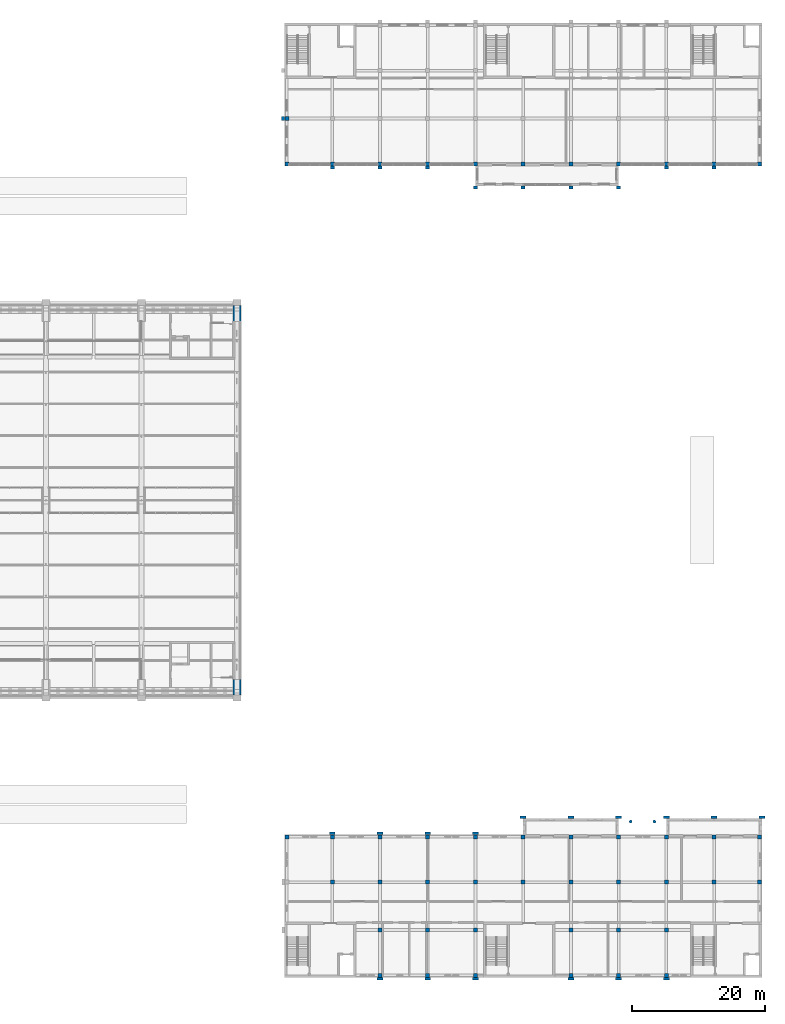
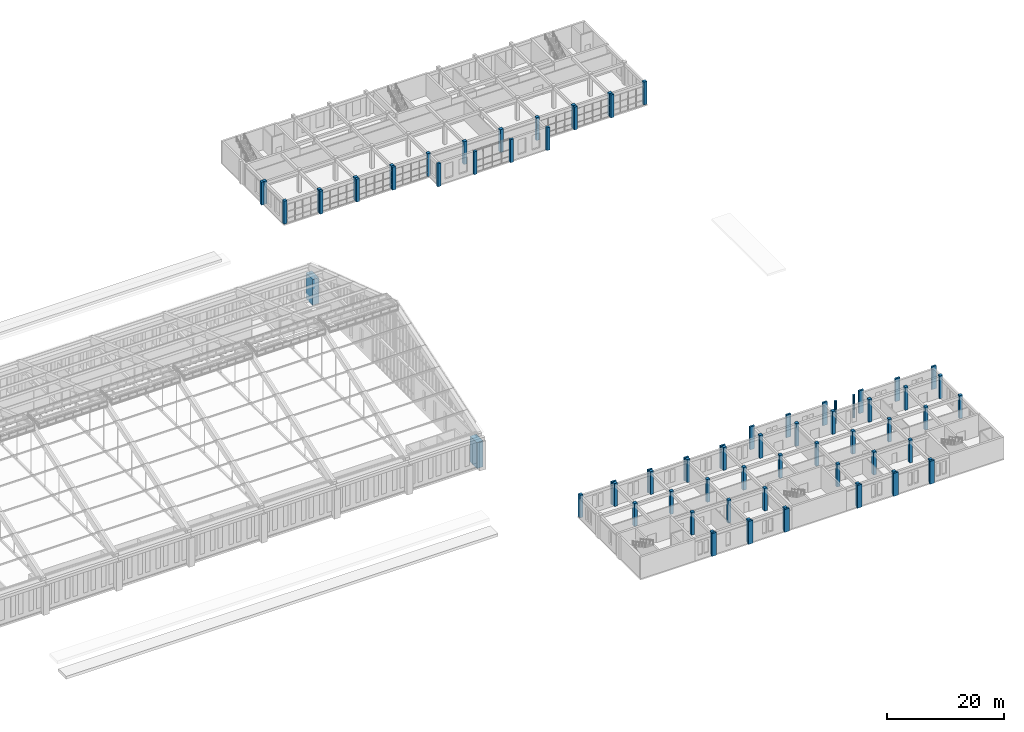
# One storey, part 3 of 149: 75 columns.
"""IFC4 building model written with IfcOpenShell, lengths in metres."""

from ifc_helpers import new_model, si_unit, direction, frame, origin, origin_2d, place, context, subcontext, project, spatial, rectangle, circle, extrude, material, material_profile, profile_set, type_object, element, save


model = new_model("IFC4")

# Units and contexts
model_context = context("Model", 3, precision=1e-05, world=origin(), true_north=direction((0.0, 1.0)))
body_context = subcontext(model_context, "Body", "Model", "MODEL_VIEW")
ifc_project = project(units=[si_unit("LENGTHUNIT", "METRE"), si_unit("AREAUNIT", "SQUARE_METRE"), si_unit("VOLUMEUNIT", "CUBIC_METRE"), si_unit("PLANEANGLEUNIT", "RADIAN"), si_unit("MASSUNIT", "GRAM", prefix="KILO")], contexts=[model_context])

# Site, building, storey
site_placement = place(None, origin())
site = spatial("IfcSite", under=ifc_project, at=site_placement, CompositionType="ELEMENT")
building_placement = place(site_placement, origin())
building = spatial("IfcBuilding", under=site, at=building_placement, Name="Alderwick Market Hall", CompositionType="ELEMENT")
storey_placement = place(building_placement, frame((0.0, 0.0, 9.60009765625)))
storey = spatial("IfcBuildingStorey", under=building, at=storey_placement, Name="L01", CompositionType="ELEMENT", Elevation=9.60009765625)

# Columns
ifc_material = material(Name="Concrete 5000 psi (f'c 35 MPa)", Category="concrete")
ifc_material_profile_1 = material_profile(ifc_material, rectangle(XDim=0.60009765625, YDim=0.60009765625, at=origin_2d()), Name="RC 600x600")
ifc_profile_set_1 = profile_set([ifc_material_profile_1], Name="Concrete 5000 psi (f'c 35 MPa)")
column_type_1 = type_object("IfcColumnType", Name="C Column RC 600x600", PredefinedType="COLUMN", material=ifc_profile_set_1)
for number, where, z_axis, x_axis, name in (
    (1, (158.75, 28.449951171875, 0.0), (0.0, 0.0, 1.0), (1.0, 0.0, 0.0), "C.col.L01.01"),
    (2, (165.60009765625, 28.449951171875, 0.0), (0.0, 0.0, 1.0), (1.0, 0.0, 0.0), "C.col.L01.02"),
    (3, (172.800048828125, 28.449951171875, 0.0), (0.0, 0.0, 1.0), (1.0, 0.0, 0.0), "C.col.L01.03"),
    (4, (180.0, 28.449951171875, 0.0), (0.0, 0.0, 1.0), (1.0, 0.0, 0.0), "C.col.L01.04"),
    (5, (187.199951171875, 28.449951171875, 0.0), (0.0, 0.0, 1.0), (1.0, 0.0, 0.0), "C.col.L01.05"),
    (6, (194.39990234375, 28.449951171875, 0.0), (0.0, 0.0, 1.0), (1.0, 0.0, 0.0), "C.col.L01.06"),
    (7, (201.60009765625, 28.449951171875, 0.0), (0.0, 0.0, 1.0), (1.0, 0.0, 0.0), "C.col.L01.07"),
    (8, (208.800048828125, 28.449951171875, 0.0), (0.0, 0.0, 1.0), (1.0, 0.0, 0.0), "C.col.L01.08"),
    (9, (216.0, 28.449951171875, 0.0), (0.0, 0.0, 1.0), (1.0, 0.0, 0.0), "C.col.L01.09"),
    (10, (223.199951171875, 28.449951171875, 0.0), (0.0, 0.0, 1.0), (1.0, 0.0, 0.0), "C.col.L01.10"),
    (11, (230.050048828125, 28.449951171875, 0.0), (0.0, 0.0, 1.0), (1.0, 0.0, 0.0), "C.col.L01.11"),
    (12, (165.60009765625, 21.60009765625, 0.0), (0.0, 0.0, 1.0), (1.0, 0.0, 0.0), "C.col.L01.13"),
    (13, (172.800048828125, 21.60009765625, 0.0), (0.0, 0.0, 1.0), (1.0, 0.0, 0.0), "C.col.L01.14"),
    (14, (180.0, 21.60009765625, 0.0), (0.0, 0.0, 1.0), (1.0, 0.0, 0.0), "C.col.L01.15"),
    (15, (187.199951171875, 21.60009765625, 0.0), (0.0, 0.0, 1.0), (1.0, 0.0, 0.0), "C.col.L01.16"),
    (16, (194.39990234375, 21.60009765625, 0.0), (0.0, 0.0, 1.0), (1.0, 0.0, 0.0), "C.col.L01.17"),
    (17, (201.60009765625, 21.60009765625, 0.0), (0.0, 0.0, 1.0), (1.0, 0.0, 0.0), "C.col.L01.18"),
    (18, (208.800048828125, 21.60009765625, 0.0), (0.0, 0.0, 1.0), (1.0, 0.0, 0.0), "C.col.L01.19"),
    (19, (216.0, 21.60009765625, 0.0), (0.0, 0.0, 1.0), (1.0, 0.0, 0.0), "C.col.L01.20"),
    (20, (223.199951171875, 21.60009765625, 0.0), (0.0, 0.0, 1.0), (1.0, 0.0, 0.0), "C.col.L01.21"),
    (21, (230.050048828125, 21.60009765625, 0.0), (0.0, 0.0, 1.0), (1.0, 0.0, 0.0), "C.col.L01.22"),
    (22, (172.800048828125, 14.39990234375, 0.0), (0.0, 0.0, 1.0), (1.0, 0.0, 0.0), "C.col.L01.23"),
    (23, (180.0, 14.39990234375, 0.0), (0.0, 0.0, 1.0), (1.0, 0.0, 0.0), "C.col.L01.24"),
    (24, (187.199951171875, 14.39990234375, 0.0), (0.0, 0.0, 1.0), (1.0, 0.0, 0.0), "C.col.L01.25"),
    (25, (201.60009765625, 14.39990234375, 0.0), (0.0, 0.0, 1.0), (1.0, 0.0, 0.0), "C.col.L01.26"),
    (26, (208.800048828125, 14.39990234375, 0.0), (0.0, 0.0, 1.0), (1.0, 0.0, 0.0), "C.col.L01.27"),
    (27, (216.0, 14.39990234375, 0.0), (0.0, 0.0, 1.0), (1.0, 0.0, 0.0), "C.col.L01.28"),
    (28, (172.800048828125, 7.550048828125, 0.0), (0.0, 0.0, 1.0), (1.0, 0.0, 0.0), "C.col.L01.29"),
    (29, (180.0, 7.550048828125, 0.0), (0.0, 0.0, 1.0), (1.0, 0.0, 0.0), "C.col.L01.30"),
    (30, (187.199951171875, 7.550048828125, 0.0), (0.0, 0.0, 1.0), (1.0, 0.0, 0.0), "C.col.L01.31"),
    (31, (201.60009765625, 7.550048828125, 0.0), (0.0, 0.0, 1.0), (1.0, 0.0, 0.0), "C.col.L01.32"),
    (32, (208.800048828125, 7.550048828125, 0.0), (0.0, 0.0, 1.0), (1.0, 0.0, 0.0), "C.col.L01.33"),
    (33, (216.0, 7.550048828125, 0.0), (0.0, 0.0, 1.0), (1.0, 0.0, 0.0), "C.col.L01.34"),
):
    element("IfcColumn", number, at=place(storey_placement, frame(where, z_axis=z_axis, x_axis=x_axis)), inside=storey, type_object=column_type_1, Name=name, PredefinedType="COLUMN", context=body_context, shape_type="SweptSolid", body=[
        extrude(rectangle(XDim=0.60009765625, YDim=0.60009765625, at=origin_2d()), origin(), (0.0, 0.0, 1.0), 4.7998046875),
    ])
ifc_material_profile_2 = material_profile(ifc_material, circle(Radius=0.22509765625, at=origin_2d()), Name="PC D450")
ifc_profile_set_2 = profile_set([ifc_material_profile_2], Name="Concrete 5000 psi (f'c 35 MPa)")
column_type_2 = type_object("IfcColumnType", Name="C Loggia Column Precast Concrete D450", PredefinedType="COLUMN", material=ifc_profile_set_2)
for number, where, z_axis, x_axis, name in (
    (34, (210.60009765625, 30.75, 0.0), (0.0, 0.0, 1.0), (1.0, 0.0, 0.0), "C.loggia.col.L01.01"),
    (35, (214.199951171875, 30.75, 0.0), (0.0, 0.0, 1.0), (1.0, 0.0, 0.0), "C.loggia.col.L01.02"),
):
    element("IfcColumn", number, at=place(storey_placement, frame(where, z_axis=z_axis, x_axis=x_axis)), inside=storey, type_object=column_type_2, Name=name, PredefinedType="COLUMN", context=body_context, shape_type="SweptSolid", body=[
        extrude(circle(Radius=0.22509765625, at=origin_2d()), origin(), (0.0, 0.0, 1.0), 4.7998046875),
    ])
ifc_material_profile_3 = material_profile(ifc_material, rectangle(XDim=0.89990234375, YDim=0.35009765625, at=origin_2d()), Name="PC 900x350")
ifc_profile_set_3 = profile_set([ifc_material_profile_3], Name="Concrete 5000 psi (f'c 35 MPa)")
column_type_3 = type_object("IfcColumnType", Name="C Pilaster Precast Concrete 900x350", PredefinedType="PILASTER", material=ifc_profile_set_3)
for number, where, z_axis, x_axis, name in (
    (36, (165.60009765625, 28.97509765625, 0.0), (0.0, 0.0, 1.0), (1.0, 0.0, 0.0), "C.pilaster.L01.003"),
    (37, (172.800048828125, 28.97509765625, 0.0), (0.0, 0.0, 1.0), (1.0, 0.0, 0.0), "C.pilaster.L01.007"),
    (38, (180.0, 28.97509765625, 0.0), (0.0, 0.0, 1.0), (1.0, 0.0, 0.0), "C.pilaster.L01.011"),
    (39, (187.199951171875, 28.97509765625, 0.0), (0.0, 0.0, 1.0), (1.0, 0.0, 0.0), "C.pilaster.L01.015"),
    (40, (172.800048828125, 7.02490234375, 0.0), (0.0, 0.0, 1.0), (1.0, 0.0, 0.0), "C.pilaster.L01.018"),
    (41, (180.0, 7.02490234375, 0.0), (0.0, 0.0, 1.0), (1.0, 0.0, 0.0), "C.pilaster.L01.021"),
    (42, (187.199951171875, 7.02490234375, 0.0), (0.0, 0.0, 1.0), (1.0, 0.0, 0.0), "C.pilaster.L01.024"),
    (43, (201.60009765625, 7.02490234375, 0.0), (0.0, 0.0, 1.0), (1.0, 0.0, 0.0), "C.pilaster.L01.027"),
    (44, (208.800048828125, 7.02490234375, 0.0), (0.0, 0.0, 1.0), (1.0, 0.0, 0.0), "C.pilaster.L01.030"),
    (45, (216.0, 7.02490234375, 0.0), (0.0, 0.0, 1.0), (1.0, 0.0, 0.0), "C.pilaster.L01.033"),
    (46, (194.39990234375, 31.375, 0.0), (0.0, 0.0, 1.0), (1.0, 0.0, 0.0), "C.pilaster.L01.pav1.01"),
    (47, (201.60009765625, 31.375, 0.0), (0.0, 0.0, 1.0), (1.0, 0.0, 0.0), "C.pilaster.L01.pav1.02"),
    (48, (208.800048828125, 31.375, 0.0), (0.0, 0.0, 1.0), (1.0, 0.0, 0.0), "C.pilaster.L01.pav1.03"),
    (49, (216.0, 31.375, 0.0), (0.0, 0.0, 1.0), (1.0, 0.0, 0.0), "C.pilaster.L01.pav2.01"),
    (50, (223.199951171875, 31.375, 0.0), (0.0, 0.0, 1.0), (1.0, 0.0, 0.0), "C.pilaster.L01.pav2.02"),
    (51, (230.39990234375, 31.375, 0.0), (0.0, 0.0, 1.0), (1.0, 0.0, 0.0), "C.pilaster.L01.pav2.03"),
):
    element("IfcColumn", number, at=place(storey_placement, frame(where, z_axis=z_axis, x_axis=x_axis)), inside=storey, type_object=column_type_3, Name=name, PredefinedType="PILASTER", context=body_context, shape_type="SweptSolid", body=[
        extrude(rectangle(XDim=0.89990234375, YDim=0.35009765625, at=origin_2d()), origin(), (0.0, 0.0, 1.0), 4.7998046875),
    ])
ifc_material_profile_4 = material_profile(ifc_material, rectangle(XDim=0.60009765625, YDim=0.60009765625, at=origin_2d()), Name="RC 600x600")
ifc_profile_set_4 = profile_set([ifc_material_profile_4], Name="Concrete 5000 psi (f'c 35 MPa)")
column_type_4 = type_object("IfcColumnType", Name="F Column RC 600x600", PredefinedType="COLUMN", material=ifc_profile_set_4)
for number, where, z_axis, x_axis, name in (
    (52, (158.75, 129.949951171875, 0.0), (0.0, 0.0, 1.0), (1.0, 0.0, 0.0), "F.col.L01.01"),
    (53, (165.60009765625, 129.949951171875, 0.0), (0.0, 0.0, 1.0), (1.0, 0.0, 0.0), "F.col.L01.02"),
    (54, (172.800048828125, 129.949951171875, 0.0), (0.0, 0.0, 1.0), (1.0, 0.0, 0.0), "F.col.L01.03"),
    (55, (180.0, 129.949951171875, 0.0), (0.0, 0.0, 1.0), (1.0, 0.0, 0.0), "F.col.L01.04"),
    (56, (187.199951171875, 129.949951171875, 0.0), (0.0, 0.0, 1.0), (1.0, 0.0, 0.0), "F.col.L01.05"),
    (57, (194.39990234375, 129.949951171875, 0.0), (0.0, 0.0, 1.0), (1.0, 0.0, 0.0), "F.col.L01.06"),
    (58, (201.60009765625, 129.949951171875, 0.0), (0.0, 0.0, 1.0), (1.0, 0.0, 0.0), "F.col.L01.07"),
    (59, (208.800048828125, 129.949951171875, 0.0), (0.0, 0.0, 1.0), (1.0, 0.0, 0.0), "F.col.L01.08"),
    (60, (216.0, 129.949951171875, 0.0), (0.0, 0.0, 1.0), (1.0, 0.0, 0.0), "F.col.L01.09"),
    (61, (223.199951171875, 129.949951171875, 0.0), (0.0, 0.0, 1.0), (1.0, 0.0, 0.0), "F.col.L01.10"),
    (62, (230.050048828125, 129.949951171875, 0.0), (0.0, 0.0, 1.0), (1.0, 0.0, 0.0), "F.col.L01.11"),
    (63, (158.75, 136.800048828125, 0.0), (0.0, 0.0, 1.0), (1.0, 0.0, 0.0), "F.col.L01.12"),
):
    element("IfcColumn", number, at=place(storey_placement, frame(where, z_axis=z_axis, x_axis=x_axis)), inside=storey, type_object=column_type_4, Name=name, PredefinedType="COLUMN", context=body_context, shape_type="SweptSolid", body=[
        extrude(rectangle(XDim=0.60009765625, YDim=0.60009765625, at=origin_2d()), origin(), (0.0, 0.0, 1.0), 4.7998046875),
    ])
ifc_material_profile_5 = material_profile(ifc_material, rectangle(XDim=0.60009765625, YDim=0.449951171875, at=origin_2d()), Name="PC 600x450")
ifc_profile_set_5 = profile_set([ifc_material_profile_5], Name="Concrete 5000 psi (f'c 35 MPa)")
column_type_5 = type_object("IfcColumnType", Name="F Pilaster Precast Concrete 600x450", PredefinedType="PILASTER", material=ifc_profile_set_5)
for number, where, z_axis, x_axis, name in (
    (64, (165.60009765625, 129.375, 0.0), (0.0, 0.0, 1.0), (1.0, 0.0, 0.0), "F.pilaster.L01.003"),
    (65, (172.800048828125, 129.375, 0.0), (0.0, 0.0, 1.0), (1.0, 0.0, 0.0), "F.pilaster.L01.007"),
    (66, (180.0, 129.375, 0.0), (0.0, 0.0, 1.0), (1.0, 0.0, 0.0), "F.pilaster.L01.011"),
    (67, (216.0, 129.375, 0.0), (0.0, 0.0, 1.0), (1.0, 0.0, 0.0), "F.pilaster.L01.015"),
    (68, (223.199951171875, 129.375, 0.0), (0.0, 0.0, 1.0), (1.0, 0.0, 0.0), "F.pilaster.L01.019"),
    (69, (158.175048828125, 136.800048828125, 0.0), (0.0, 0.0, 1.0), (0.0, 1.0, 0.0), "F.pilaster.L01.040"),
    (70, (187.199951171875, 126.375, 0.0), (0.0, 0.0, 1.0), (1.0, 0.0, 0.0), "F.pilaster.L01.pav1.01"),
    (71, (194.39990234375, 126.375, 0.0), (0.0, 0.0, 1.0), (1.0, 0.0, 0.0), "F.pilaster.L01.pav1.02"),
    (72, (201.60009765625, 126.375, 0.0), (0.0, 0.0, 1.0), (1.0, 0.0, 0.0), "F.pilaster.L01.pav1.03"),
    (73, (208.800048828125, 126.375, 0.0), (0.0, 0.0, 1.0), (1.0, 0.0, 0.0), "F.pilaster.L01.pav1.04"),
):
    element("IfcColumn", number, at=place(storey_placement, frame(where, z_axis=z_axis, x_axis=x_axis)), inside=storey, type_object=column_type_5, Name=name, PredefinedType="PILASTER", context=body_context, shape_type="SweptSolid", body=[
        extrude(rectangle(XDim=0.60009765625, YDim=0.449951171875, at=origin_2d()), origin(), (0.0, 0.0, 1.0), 4.7998046875),
    ])
ifc_material_profile_6 = material_profile(ifc_material, rectangle(XDim=1.199951171875, YDim=2.39990234375, at=origin_2d()), Name="RC 1200x2400")
ifc_profile_set_6 = profile_set([ifc_material_profile_6], Name="Concrete 5000 psi (f'c 35 MPa)")
column_type_6 = type_object("IfcColumnType", Name="R Buttress Pier 1200x2400", PredefinedType="COLUMN", material=ifc_profile_set_6)
for number, where, z_axis, x_axis, name in (
    (74, (151.199951171875, 51.0, 0.0), (0.0, 0.0, 1.0), (1.0, 0.0, 0.0), "Buttress pier S8 L01"),
    (75, (151.199951171875, 107.39990234375, 0.0), (0.0, 0.0, 1.0), (1.0, 0.0, 0.0), "Buttress pier N8 L01"),
):
    element("IfcColumn", number, at=place(storey_placement, frame(where, z_axis=z_axis, x_axis=x_axis)), inside=storey, type_object=column_type_6, Name=name, PredefinedType="COLUMN", context=body_context, shape_type="SweptSolid", body=[
        extrude(rectangle(XDim=1.199951171875, YDim=2.39990234375, at=origin_2d()), origin(), (0.0, 0.0, 1.0), 5.39990234375),
    ])

save(model, "model.ifc")
